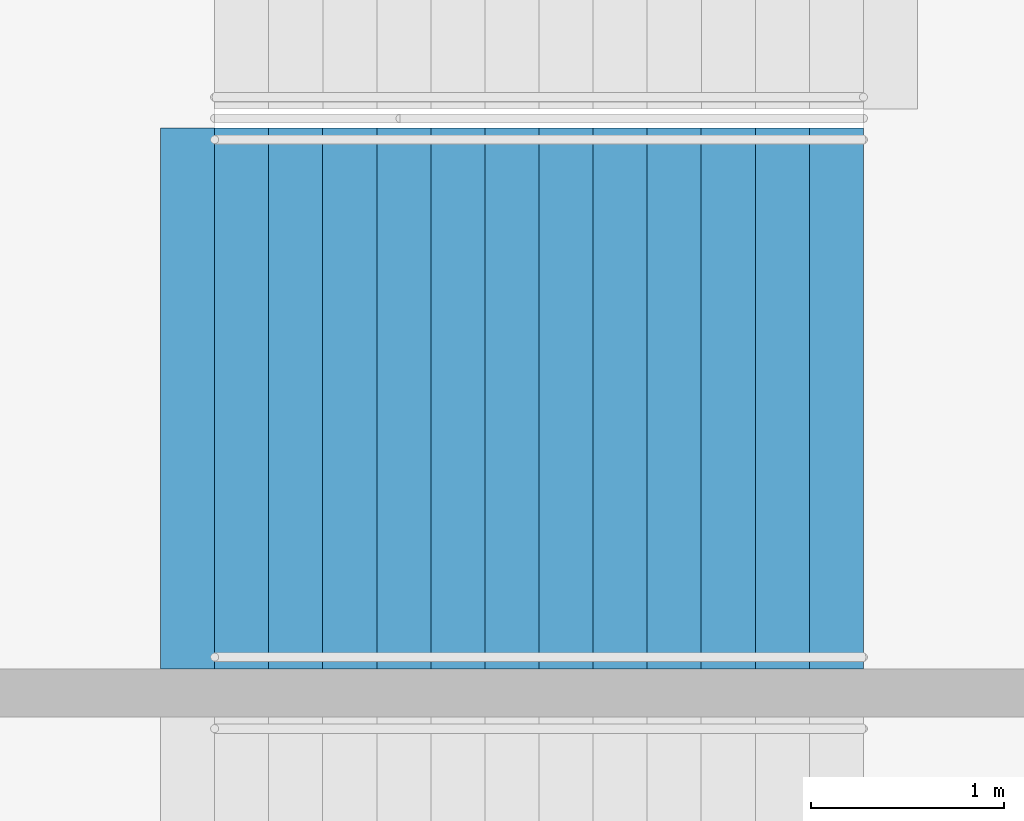
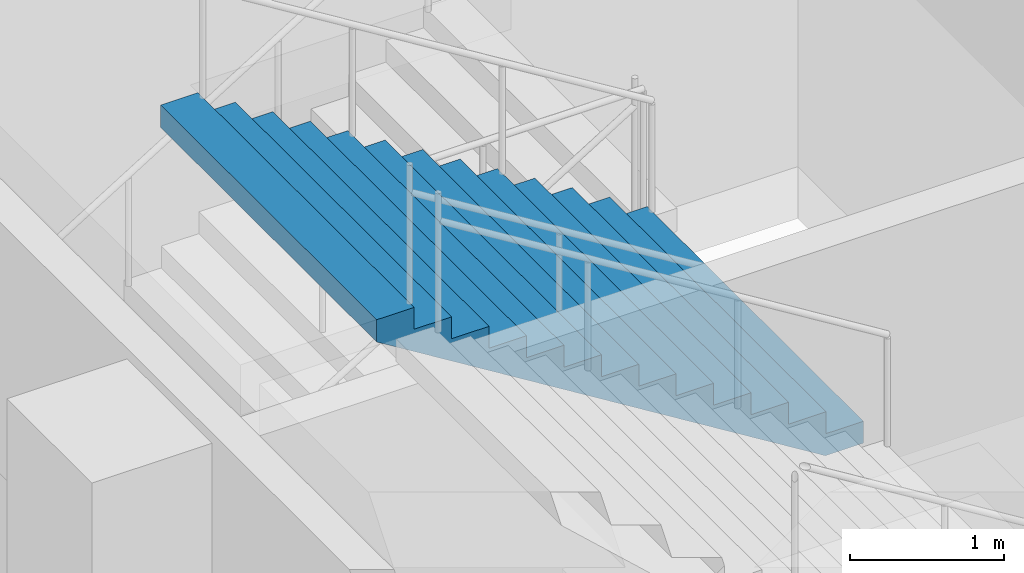
# One storey, part 176 of 199: 1 stair flight, 1 element without a shape of its own.
"""IFC4 building model written with IfcOpenShell, lengths in metres."""

from ifc_helpers import new_model, si_unit, direction, frame, origin, place, context, subcontext, project, spatial, faceted_brep, material, type_object, element, aggregate, save


model = new_model("IFC4")

# Units and contexts
model_context = context("Model", 3, precision=1e-05, world=origin(), true_north=direction((0.0, 1.0)))
body_context = subcontext(model_context, "Body", "Model", "MODEL_VIEW")
ifc_project = project(units=[si_unit("LENGTHUNIT", "METRE"), si_unit("AREAUNIT", "SQUARE_METRE"), si_unit("VOLUMEUNIT", "CUBIC_METRE"), si_unit("PLANEANGLEUNIT", "RADIAN"), si_unit("MASSUNIT", "GRAM", prefix="KILO")], contexts=[model_context])

# Site, building, storey
site_placement = place(None, origin())
site = spatial("IfcSite", under=ifc_project, at=site_placement, CompositionType="ELEMENT")
building_placement = place(site_placement, origin())
building = spatial("IfcBuilding", under=site, at=building_placement, Name="Ogive Plaza Stadium", CompositionType="ELEMENT")
storey_placement = place(building_placement, frame((0.0, 0.0, 4.5)))
storey = spatial("IfcBuildingStorey", under=building, at=storey_placement, Name="L01", CompositionType="ELEMENT", Elevation=4.5)

# Stair, stair flight
ifc_material_1 = material(Name="Concrete C40/50", Category="concrete")
stair_type = type_object("IfcStairType", Name="Exit stair", PredefinedType="STRAIGHT_RUN_STAIR", material=ifc_material_1)
stair_placement = place(storey_placement, origin())
stair = element("IfcStair", 1, at=stair_placement, inside=storey, type_object=stair_type, Name="Exit stair ST02B L01 to L02", PredefinedType="STRAIGHT_RUN_STAIR")
ifc_material_2 = material(Name="Concrete C40/50", Category="concrete")
stair_flight_type = type_object("IfcStairFlightType", Name="Exit stair flight", PredefinedType="STRAIGHT", material=ifc_material_2)
stair_flight_placement = place(storey_placement, frame((79.7099609375, 39.02490234375, 2.25), z_axis=(0.0, 0.0, 1.0), x_axis=(-1.0, 0.0, 0.0)))
stair_flight = element("IfcStairFlight", 2, at=stair_flight_placement, type_object=stair_flight_type, Name="ST02B flight 2", NumberOfRisers=13, NumberOfTreads=12, PredefinedType="STRAIGHT", RiserHeight=0.173076923, TreadLength=0.28, context=body_context, shape_type="Brep", body=[
    faceted_brep([(0.28515625, -1.39990234375, 0.0), (3.639892578125, -1.39990234375, 2.07373046875), (3.639892578125, -1.39990234375, 2.25), (3.360107421875, -1.39990234375, 2.25), (3.360107421875, -1.39990234375, 2.076904296875), (3.080078125, -1.39990234375, 2.076904296875), (3.080078125, -1.39990234375, 1.90380859375), (2.800048828125, -1.39990234375, 1.90380859375), (2.800048828125, -1.39990234375, 1.730712890625), (2.52001953125, -1.39990234375, 1.730712890625), (2.52001953125, -1.39990234375, 1.5576171875), (2.239990234375, -1.39990234375, 1.5576171875), (2.239990234375, -1.39990234375, 1.384521484375), (1.9599609375, -1.39990234375, 1.384521484375), (1.9599609375, -1.39990234375, 1.21142578125), (1.679931640625, -1.39990234375, 1.21142578125), (1.679931640625, -1.39990234375, 1.03857421875), (1.39990234375, -1.39990234375, 1.03857421875), (1.39990234375, -1.39990234375, 0.865478515625), (1.1201171875, -1.39990234375, 0.865478515625), (1.1201171875, -1.39990234375, 0.6923828125), (0.840087890625, -1.39990234375, 0.6923828125), (0.840087890625, -1.39990234375, 0.519287109375), (0.56005859375, -1.39990234375, 0.519287109375), (0.56005859375, -1.39990234375, 0.34619140625), (0.280029296875, -1.39990234375, 0.34619140625), (0.280029296875, -1.39990234375, 0.173095703125), (0.0, -1.39990234375, 0.173095703125), (0.0, -1.39990234375, 0.0), (0.0, 1.39990234375, 0.0), (0.0, 1.39990234375, 0.173095703125), (0.280029296875, 1.39990234375, 0.173095703125), (0.280029296875, 1.39990234375, 0.34619140625), (0.56005859375, 1.39990234375, 0.34619140625), (0.56005859375, 1.39990234375, 0.519287109375), (0.840087890625, 1.39990234375, 0.519287109375), (0.840087890625, 1.39990234375, 0.6923828125), (1.1201171875, 1.39990234375, 0.6923828125), (1.1201171875, 1.39990234375, 0.865478515625), (1.39990234375, 1.39990234375, 0.865478515625), (1.39990234375, 1.39990234375, 1.03857421875), (1.679931640625, 1.39990234375, 1.03857421875), (1.679931640625, 1.39990234375, 1.21142578125), (1.9599609375, 1.39990234375, 1.21142578125), (1.9599609375, 1.39990234375, 1.384521484375), (2.239990234375, 1.39990234375, 1.384521484375), (2.239990234375, 1.39990234375, 1.5576171875), (2.52001953125, 1.39990234375, 1.5576171875), (2.52001953125, 1.39990234375, 1.730712890625), (2.800048828125, 1.39990234375, 1.730712890625), (2.800048828125, 1.39990234375, 1.90380859375), (3.080078125, 1.39990234375, 1.90380859375), (3.080078125, 1.39990234375, 2.076904296875), (3.360107421875, 1.39990234375, 2.076904296875), (3.360107421875, 1.39990234375, 2.25), (3.639892578125, 1.39990234375, 2.25), (3.639892578125, 1.39990234375, 2.07373046875), (0.28515625, 1.39990234375, 0.0), (0.28515625, -1.0888671875, 0.0), (3.639892578125, -1.0888671875, 2.07373046875), (0.28515625, -0.77783203125, 0.0), (3.639892578125, -0.77783203125, 2.07373046875), (0.28515625, -0.466796875, 0.0), (3.639892578125, -0.466796875, 2.07373046875), (0.28515625, -0.155517578125, 0.0), (3.639892578125, -0.155517578125, 2.07373046875), (0.28515625, 0.155517578125, 0.0), (3.639892578125, 0.155517578125, 2.07373046875), (0.28515625, 0.466796875, 0.0), (3.639892578125, 0.466796875, 2.07373046875), (0.28515625, 0.77783203125, 0.0), (3.639892578125, 0.77783203125, 2.07373046875), (0.28515625, 1.0888671875, 0.0), (3.639892578125, 1.0888671875, 2.07373046875), (3.639892578125, -1.0888671875, 2.25), (3.639892578125, -0.77783203125, 2.25), (3.639892578125, -0.466796875, 2.25), (3.639892578125, -0.155517578125, 2.25), (3.639892578125, 0.155517578125, 2.25), (3.639892578125, 0.466796875, 2.25), (3.639892578125, 0.77783203125, 2.25), (3.639892578125, 1.0888671875, 2.25), (3.360107421875, -1.0888671875, 2.25), (3.360107421875, -0.77783203125, 2.25), (3.360107421875, -0.466796875, 2.25), (3.360107421875, -0.155517578125, 2.25), (3.360107421875, 0.155517578125, 2.25), (3.360107421875, 0.466796875, 2.25), (3.360107421875, 0.77783203125, 2.25), (3.360107421875, 1.0888671875, 2.25), (3.360107421875, -1.0888671875, 2.076904296875), (3.360107421875, -0.77783203125, 2.076904296875), (3.360107421875, -0.466796875, 2.076904296875), (3.360107421875, -0.155517578125, 2.076904296875), (3.360107421875, 0.155517578125, 2.076904296875), (3.360107421875, 0.466796875, 2.076904296875), (3.360107421875, 0.77783203125, 2.076904296875), (3.360107421875, 1.0888671875, 2.076904296875), (3.080078125, -1.0888671875, 2.076904296875), (3.080078125, -0.77783203125, 2.076904296875), (3.080078125, -0.466796875, 2.076904296875), (3.080078125, -0.155517578125, 2.076904296875), (3.080078125, 0.155517578125, 2.076904296875), (3.080078125, 0.466796875, 2.076904296875), (3.080078125, 0.77783203125, 2.076904296875), (3.080078125, 1.0888671875, 2.076904296875), (3.080078125, -1.0888671875, 1.90380859375), (3.080078125, -0.77783203125, 1.90380859375), (3.080078125, -0.466796875, 1.90380859375), (3.080078125, -0.155517578125, 1.90380859375), (3.080078125, 0.155517578125, 1.90380859375), (3.080078125, 0.466796875, 1.90380859375), (3.080078125, 0.77783203125, 1.90380859375), (3.080078125, 1.0888671875, 1.90380859375), (2.800048828125, -1.0888671875, 1.90380859375), (2.800048828125, -0.77783203125, 1.90380859375), (2.800048828125, -0.466796875, 1.90380859375), (2.800048828125, -0.155517578125, 1.90380859375), (2.800048828125, 0.155517578125, 1.90380859375), (2.800048828125, 0.466796875, 1.90380859375), (2.800048828125, 0.77783203125, 1.90380859375), (2.800048828125, 1.0888671875, 1.90380859375), (2.800048828125, -1.0888671875, 1.730712890625), (2.800048828125, -0.77783203125, 1.730712890625), (2.800048828125, -0.466796875, 1.730712890625), (2.800048828125, -0.155517578125, 1.730712890625), (2.800048828125, 0.155517578125, 1.730712890625), (2.800048828125, 0.466796875, 1.730712890625), (2.800048828125, 0.77783203125, 1.730712890625), (2.800048828125, 1.0888671875, 1.730712890625), (2.52001953125, -1.0888671875, 1.730712890625), (2.52001953125, -0.77783203125, 1.730712890625), (2.52001953125, -0.466796875, 1.730712890625), (2.52001953125, -0.155517578125, 1.730712890625), (2.52001953125, 0.155517578125, 1.730712890625), (2.52001953125, 0.466796875, 1.730712890625), (2.52001953125, 0.77783203125, 1.730712890625), (2.52001953125, 1.0888671875, 1.730712890625), (2.52001953125, -1.0888671875, 1.5576171875), (2.52001953125, -0.77783203125, 1.5576171875), (2.52001953125, -0.466796875, 1.5576171875), (2.52001953125, -0.155517578125, 1.5576171875), (2.52001953125, 0.155517578125, 1.5576171875), (2.52001953125, 0.466796875, 1.5576171875), (2.52001953125, 0.77783203125, 1.5576171875), (2.52001953125, 1.0888671875, 1.5576171875), (2.239990234375, -1.0888671875, 1.5576171875), (2.239990234375, -0.77783203125, 1.5576171875), (2.239990234375, -0.466796875, 1.5576171875), (2.239990234375, -0.155517578125, 1.5576171875), (2.239990234375, 0.155517578125, 1.5576171875), (2.239990234375, 0.466796875, 1.5576171875), (2.239990234375, 0.77783203125, 1.5576171875), (2.239990234375, 1.0888671875, 1.5576171875), (2.239990234375, -1.0888671875, 1.384521484375), (2.239990234375, -0.77783203125, 1.384521484375), (2.239990234375, -0.466796875, 1.384521484375), (2.239990234375, -0.155517578125, 1.384521484375), (2.239990234375, 0.155517578125, 1.384521484375), (2.239990234375, 0.466796875, 1.384521484375), (2.239990234375, 0.77783203125, 1.384521484375), (2.239990234375, 1.0888671875, 1.384521484375), (1.9599609375, -1.0888671875, 1.384521484375), (1.9599609375, -0.77783203125, 1.384521484375), (1.9599609375, -0.466796875, 1.384521484375), (1.9599609375, -0.155517578125, 1.384521484375), (1.9599609375, 0.155517578125, 1.384521484375), (1.9599609375, 0.466796875, 1.384521484375), (1.9599609375, 0.77783203125, 1.384521484375), (1.9599609375, 1.0888671875, 1.384521484375), (1.9599609375, -1.0888671875, 1.21142578125), (1.9599609375, -0.77783203125, 1.21142578125), (1.9599609375, -0.466796875, 1.21142578125), (1.9599609375, -0.155517578125, 1.21142578125), (1.9599609375, 0.155517578125, 1.21142578125), (1.9599609375, 0.466796875, 1.21142578125), (1.9599609375, 0.77783203125, 1.21142578125), (1.9599609375, 1.0888671875, 1.21142578125), (1.679931640625, -1.0888671875, 1.21142578125), (1.679931640625, -0.77783203125, 1.21142578125), (1.679931640625, -0.466796875, 1.21142578125), (1.679931640625, -0.155517578125, 1.21142578125), (1.679931640625, 0.155517578125, 1.21142578125), (1.679931640625, 0.466796875, 1.21142578125), (1.679931640625, 0.77783203125, 1.21142578125), (1.679931640625, 1.0888671875, 1.21142578125), (1.679931640625, -1.0888671875, 1.03857421875), (1.679931640625, -0.77783203125, 1.03857421875), (1.679931640625, -0.466796875, 1.03857421875), (1.679931640625, -0.155517578125, 1.03857421875), (1.679931640625, 0.155517578125, 1.03857421875), (1.679931640625, 0.466796875, 1.03857421875), (1.679931640625, 0.77783203125, 1.03857421875), (1.679931640625, 1.0888671875, 1.03857421875), (1.39990234375, -1.0888671875, 1.03857421875), (1.39990234375, -0.77783203125, 1.03857421875), (1.39990234375, -0.466796875, 1.03857421875), (1.39990234375, -0.155517578125, 1.03857421875), (1.39990234375, 0.155517578125, 1.03857421875), (1.39990234375, 0.466796875, 1.03857421875), (1.39990234375, 0.77783203125, 1.03857421875), (1.39990234375, 1.0888671875, 1.03857421875), (1.39990234375, -1.0888671875, 0.865478515625), (1.39990234375, -0.77783203125, 0.865478515625), (1.39990234375, -0.466796875, 0.865478515625), (1.39990234375, -0.155517578125, 0.865478515625), (1.39990234375, 0.155517578125, 0.865478515625), (1.39990234375, 0.466796875, 0.865478515625), (1.39990234375, 0.77783203125, 0.865478515625), (1.39990234375, 1.0888671875, 0.865478515625), (1.1201171875, -1.0888671875, 0.865478515625), (1.1201171875, -0.77783203125, 0.865478515625), (1.1201171875, -0.466796875, 0.865478515625), (1.1201171875, -0.155517578125, 0.865478515625), (1.1201171875, 0.155517578125, 0.865478515625), (1.1201171875, 0.466796875, 0.865478515625), (1.1201171875, 0.77783203125, 0.865478515625), (1.1201171875, 1.0888671875, 0.865478515625), (1.1201171875, -1.0888671875, 0.6923828125), (1.1201171875, -0.77783203125, 0.6923828125), (1.1201171875, -0.466796875, 0.6923828125), (1.1201171875, -0.155517578125, 0.6923828125), (1.1201171875, 0.155517578125, 0.6923828125), (1.1201171875, 0.466796875, 0.6923828125), (1.1201171875, 0.77783203125, 0.6923828125), (1.1201171875, 1.0888671875, 0.6923828125), (0.840087890625, -1.0888671875, 0.6923828125), (0.840087890625, -0.77783203125, 0.6923828125), (0.840087890625, -0.466796875, 0.6923828125), (0.840087890625, -0.155517578125, 0.6923828125), (0.840087890625, 0.155517578125, 0.6923828125), (0.840087890625, 0.466796875, 0.6923828125), (0.840087890625, 0.77783203125, 0.6923828125), (0.840087890625, 1.0888671875, 0.6923828125), (0.840087890625, -1.0888671875, 0.519287109375), (0.840087890625, -0.77783203125, 0.519287109375), (0.840087890625, -0.466796875, 0.519287109375), (0.840087890625, -0.155517578125, 0.519287109375), (0.840087890625, 0.155517578125, 0.519287109375), (0.840087890625, 0.466796875, 0.519287109375), (0.840087890625, 0.77783203125, 0.519287109375), (0.840087890625, 1.0888671875, 0.519287109375), (0.56005859375, -1.0888671875, 0.519287109375), (0.56005859375, -0.77783203125, 0.519287109375), (0.56005859375, -0.466796875, 0.519287109375), (0.56005859375, -0.155517578125, 0.519287109375), (0.56005859375, 0.155517578125, 0.519287109375), (0.56005859375, 0.466796875, 0.519287109375), (0.56005859375, 0.77783203125, 0.519287109375), (0.56005859375, 1.0888671875, 0.519287109375), (0.56005859375, -1.0888671875, 0.34619140625), (0.56005859375, -0.77783203125, 0.34619140625), (0.56005859375, -0.466796875, 0.34619140625), (0.56005859375, -0.155517578125, 0.34619140625), (0.56005859375, 0.155517578125, 0.34619140625), (0.56005859375, 0.466796875, 0.34619140625), (0.56005859375, 0.77783203125, 0.34619140625), (0.56005859375, 1.0888671875, 0.34619140625), (0.280029296875, -1.0888671875, 0.34619140625), (0.280029296875, -0.77783203125, 0.34619140625), (0.280029296875, -0.466796875, 0.34619140625), (0.280029296875, -0.155517578125, 0.34619140625), (0.280029296875, 0.155517578125, 0.34619140625), (0.280029296875, 0.466796875, 0.34619140625), (0.280029296875, 0.77783203125, 0.34619140625), (0.280029296875, 1.0888671875, 0.34619140625), (0.280029296875, -1.0888671875, 0.173095703125), (0.280029296875, -0.77783203125, 0.173095703125), (0.280029296875, -0.466796875, 0.173095703125), (0.280029296875, -0.155517578125, 0.173095703125), (0.280029296875, 0.155517578125, 0.173095703125), (0.280029296875, 0.466796875, 0.173095703125), (0.280029296875, 0.77783203125, 0.173095703125), (0.280029296875, 1.0888671875, 0.173095703125), (0.0, -1.0888671875, 0.173095703125), (0.0, -0.77783203125, 0.173095703125), (0.0, -0.466796875, 0.173095703125), (0.0, -0.155517578125, 0.173095703125), (0.0, 0.155517578125, 0.173095703125), (0.0, 0.466796875, 0.173095703125), (0.0, 0.77783203125, 0.173095703125), (0.0, 1.0888671875, 0.173095703125), (0.0, -1.0888671875, 0.0), (0.0, -0.77783203125, 0.0), (0.0, -0.466796875, 0.0), (0.0, -0.155517578125, 0.0), (0.0, 0.155517578125, 0.0), (0.0, 0.466796875, 0.0), (0.0, 0.77783203125, 0.0), (0.0, 1.0888671875, 0.0)], [[[0, 1, 2, 3, 4, 5, 6, 7, 8, 9, 10, 11, 12, 13, 14, 15, 16, 17, 18, 19, 20, 21, 22, 23, 24, 25, 26, 27, 28]], [[29, 30, 31, 32, 33, 34, 35, 36, 37, 38, 39, 40, 41, 42, 43, 44, 45, 46, 47, 48, 49, 50, 51, 52, 53, 54, 55, 56, 57]], [[0, 58, 59, 1]], [[58, 60, 61, 59]], [[60, 62, 63, 61]], [[62, 64, 65, 63]], [[64, 66, 67, 65]], [[66, 68, 69, 67]], [[68, 70, 71, 69]], [[70, 72, 73, 71]], [[72, 57, 56, 73]], [[1, 59, 74, 2]], [[59, 61, 75, 74]], [[61, 63, 76, 75]], [[63, 65, 77, 76]], [[65, 67, 78, 77]], [[67, 69, 79, 78]], [[69, 71, 80, 79]], [[71, 73, 81, 80]], [[73, 56, 55, 81]], [[2, 74, 82, 3]], [[74, 75, 83, 82]], [[75, 76, 84, 83]], [[76, 77, 85, 84]], [[77, 78, 86, 85]], [[78, 79, 87, 86]], [[79, 80, 88, 87]], [[80, 81, 89, 88]], [[81, 55, 54, 89]], [[3, 82, 90, 4]], [[82, 83, 91, 90]], [[83, 84, 92, 91]], [[84, 85, 93, 92]], [[85, 86, 94, 93]], [[86, 87, 95, 94]], [[87, 88, 96, 95]], [[88, 89, 97, 96]], [[89, 54, 53, 97]], [[4, 90, 98, 5]], [[90, 91, 99, 98]], [[91, 92, 100, 99]], [[92, 93, 101, 100]], [[93, 94, 102, 101]], [[94, 95, 103, 102]], [[95, 96, 104, 103]], [[96, 97, 105, 104]], [[97, 53, 52, 105]], [[5, 98, 106, 6]], [[98, 99, 107, 106]], [[99, 100, 108, 107]], [[100, 101, 109, 108]], [[101, 102, 110, 109]], [[102, 103, 111, 110]], [[103, 104, 112, 111]], [[104, 105, 113, 112]], [[105, 52, 51, 113]], [[6, 106, 114, 7]], [[106, 107, 115, 114]], [[107, 108, 116, 115]], [[108, 109, 117, 116]], [[109, 110, 118, 117]], [[110, 111, 119, 118]], [[111, 112, 120, 119]], [[112, 113, 121, 120]], [[113, 51, 50, 121]], [[7, 114, 122, 8]], [[114, 115, 123, 122]], [[115, 116, 124, 123]], [[116, 117, 125, 124]], [[117, 118, 126, 125]], [[118, 119, 127, 126]], [[119, 120, 128, 127]], [[120, 121, 129, 128]], [[121, 50, 49, 129]], [[8, 122, 130, 9]], [[122, 123, 131, 130]], [[123, 124, 132, 131]], [[124, 125, 133, 132]], [[125, 126, 134, 133]], [[126, 127, 135, 134]], [[127, 128, 136, 135]], [[128, 129, 137, 136]], [[129, 49, 48, 137]], [[9, 130, 138, 10]], [[130, 131, 139, 138]], [[131, 132, 140, 139]], [[132, 133, 141, 140]], [[133, 134, 142, 141]], [[134, 135, 143, 142]], [[135, 136, 144, 143]], [[136, 137, 145, 144]], [[137, 48, 47, 145]], [[10, 138, 146, 11]], [[138, 139, 147, 146]], [[139, 140, 148, 147]], [[140, 141, 149, 148]], [[141, 142, 150, 149]], [[142, 143, 151, 150]], [[143, 144, 152, 151]], [[144, 145, 153, 152]], [[145, 47, 46, 153]], [[11, 146, 154, 12]], [[146, 147, 155, 154]], [[147, 148, 156, 155]], [[148, 149, 157, 156]], [[149, 150, 158, 157]], [[150, 151, 159, 158]], [[151, 152, 160, 159]], [[152, 153, 161, 160]], [[153, 46, 45, 161]], [[12, 154, 162, 13]], [[154, 155, 163, 162]], [[155, 156, 164, 163]], [[156, 157, 165, 164]], [[157, 158, 166, 165]], [[158, 159, 167, 166]], [[159, 160, 168, 167]], [[160, 161, 169, 168]], [[161, 45, 44, 169]], [[13, 162, 170, 14]], [[162, 163, 171, 170]], [[163, 164, 172, 171]], [[164, 165, 173, 172]], [[165, 166, 174, 173]], [[166, 167, 175, 174]], [[167, 168, 176, 175]], [[168, 169, 177, 176]], [[169, 44, 43, 177]], [[14, 170, 178, 15]], [[170, 171, 179, 178]], [[171, 172, 180, 179]], [[172, 173, 181, 180]], [[173, 174, 182, 181]], [[174, 175, 183, 182]], [[175, 176, 184, 183]], [[176, 177, 185, 184]], [[177, 43, 42, 185]], [[15, 178, 186, 16]], [[178, 179, 187, 186]], [[179, 180, 188, 187]], [[180, 181, 189, 188]], [[181, 182, 190, 189]], [[182, 183, 191, 190]], [[183, 184, 192, 191]], [[184, 185, 193, 192]], [[185, 42, 41, 193]], [[16, 186, 194, 17]], [[186, 187, 195, 194]], [[187, 188, 196, 195]], [[188, 189, 197, 196]], [[189, 190, 198, 197]], [[190, 191, 199, 198]], [[191, 192, 200, 199]], [[192, 193, 201, 200]], [[193, 41, 40, 201]], [[17, 194, 202, 18]], [[194, 195, 203, 202]], [[195, 196, 204, 203]], [[196, 197, 205, 204]], [[197, 198, 206, 205]], [[198, 199, 207, 206]], [[199, 200, 208, 207]], [[200, 201, 209, 208]], [[201, 40, 39, 209]], [[18, 202, 210, 19]], [[202, 203, 211, 210]], [[203, 204, 212, 211]], [[204, 205, 213, 212]], [[205, 206, 214, 213]], [[206, 207, 215, 214]], [[207, 208, 216, 215]], [[208, 209, 217, 216]], [[209, 39, 38, 217]], [[19, 210, 218, 20]], [[210, 211, 219, 218]], [[211, 212, 220, 219]], [[212, 213, 221, 220]], [[213, 214, 222, 221]], [[214, 215, 223, 222]], [[215, 216, 224, 223]], [[216, 217, 225, 224]], [[217, 38, 37, 225]], [[20, 218, 226, 21]], [[218, 219, 227, 226]], [[219, 220, 228, 227]], [[220, 221, 229, 228]], [[221, 222, 230, 229]], [[222, 223, 231, 230]], [[223, 224, 232, 231]], [[224, 225, 233, 232]], [[225, 37, 36, 233]], [[21, 226, 234, 22]], [[226, 227, 235, 234]], [[227, 228, 236, 235]], [[228, 229, 237, 236]], [[229, 230, 238, 237]], [[230, 231, 239, 238]], [[231, 232, 240, 239]], [[232, 233, 241, 240]], [[233, 36, 35, 241]], [[22, 234, 242, 23]], [[234, 235, 243, 242]], [[235, 236, 244, 243]], [[236, 237, 245, 244]], [[237, 238, 246, 245]], [[238, 239, 247, 246]], [[239, 240, 248, 247]], [[240, 241, 249, 248]], [[241, 35, 34, 249]], [[23, 242, 250, 24]], [[242, 243, 251, 250]], [[243, 244, 252, 251]], [[244, 245, 253, 252]], [[245, 246, 254, 253]], [[246, 247, 255, 254]], [[247, 248, 256, 255]], [[248, 249, 257, 256]], [[249, 34, 33, 257]], [[24, 250, 258, 25]], [[250, 251, 259, 258]], [[251, 252, 260, 259]], [[252, 253, 261, 260]], [[253, 254, 262, 261]], [[254, 255, 263, 262]], [[255, 256, 264, 263]], [[256, 257, 265, 264]], [[257, 33, 32, 265]], [[25, 258, 266, 26]], [[258, 259, 267, 266]], [[259, 260, 268, 267]], [[260, 261, 269, 268]], [[261, 262, 270, 269]], [[262, 263, 271, 270]], [[263, 264, 272, 271]], [[264, 265, 273, 272]], [[265, 32, 31, 273]], [[26, 266, 274, 27]], [[266, 267, 275, 274]], [[267, 268, 276, 275]], [[268, 269, 277, 276]], [[269, 270, 278, 277]], [[270, 271, 279, 278]], [[271, 272, 280, 279]], [[272, 273, 281, 280]], [[273, 31, 30, 281]], [[27, 274, 282, 28]], [[274, 275, 283, 282]], [[275, 276, 284, 283]], [[276, 277, 285, 284]], [[277, 278, 286, 285]], [[278, 279, 287, 286]], [[279, 280, 288, 287]], [[280, 281, 289, 288]], [[281, 30, 29, 289]], [[28, 282, 58, 0]], [[282, 283, 60, 58]], [[283, 284, 62, 60]], [[284, 285, 64, 62]], [[285, 286, 66, 64]], [[286, 287, 68, 66]], [[287, 288, 70, 68]], [[288, 289, 72, 70]], [[289, 29, 57, 72]]]),
])
aggregate(stair, [stair_flight])

save(model, "model.ifc")
